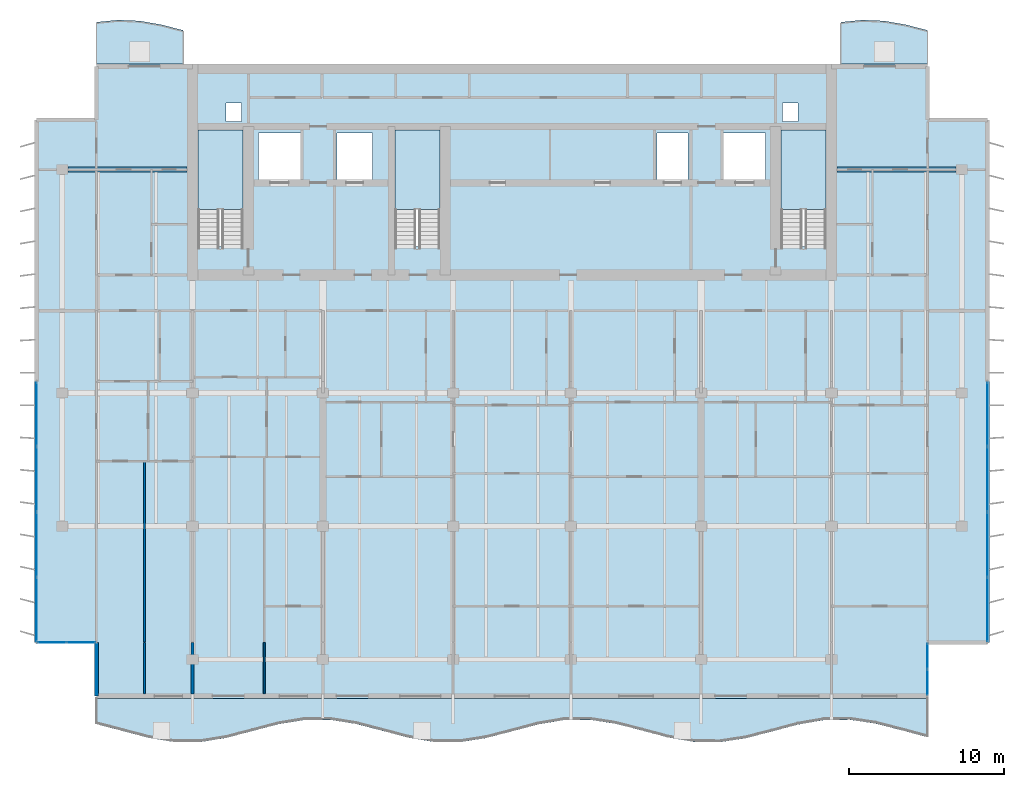
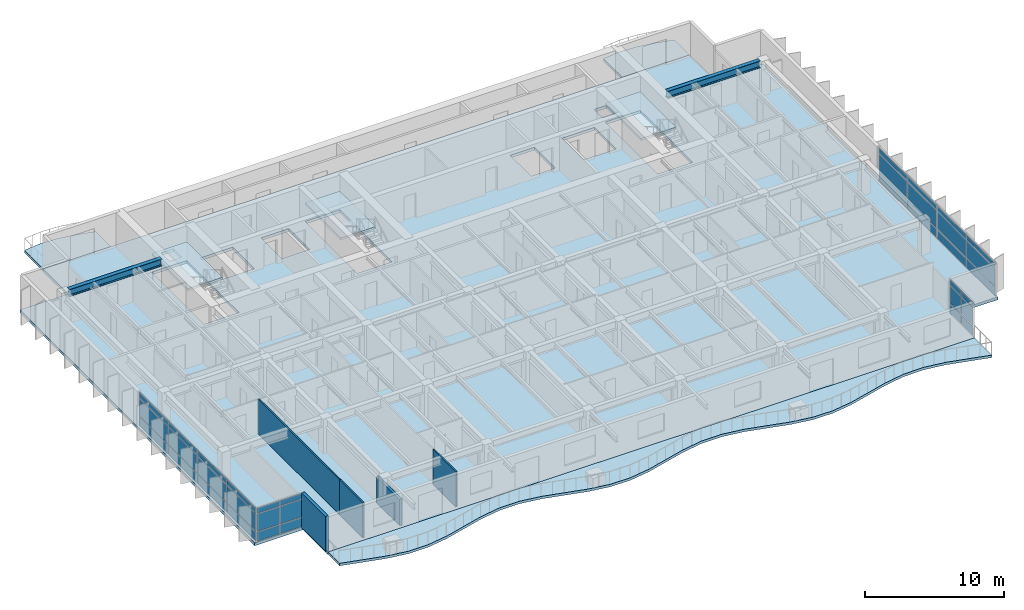
# One storey, part 5 of 16: 36 plates, 7 slabs, 5 walls, 2 beams, 7 elements without a shape of their own.
"""IFC4 building model written with IfcOpenShell, lengths in metres."""

from ifc_helpers import new_model, si_unit, direction, frame, frame_2d, origin, origin_2d, place, context, subcontext, project, spatial, polyline, rectangle, i_section, outline, extrude, material, layer, layer_set, material_profile, profile_set, type_object, element, aggregate, save


model = new_model("IFC4")

# Units and contexts
model_context = context("Model", 3, precision=1e-05, world=origin(), true_north=direction((0.0, 1.0)))
body_context = subcontext(model_context, "Body", "Model", "MODEL_VIEW")
ifc_project = project(units=[si_unit("LENGTHUNIT", "METRE"), si_unit("AREAUNIT", "SQUARE_METRE"), si_unit("VOLUMEUNIT", "CUBIC_METRE"), si_unit("PLANEANGLEUNIT", "RADIAN"), si_unit("MASSUNIT", "GRAM", prefix="KILO")], contexts=[model_context])

# Site, building, storey
site_placement = place(None, origin())
site = spatial("IfcSite", under=ifc_project, at=site_placement, CompositionType="ELEMENT")
building_placement = place(site_placement, origin())
building = spatial("IfcBuilding", under=site, at=building_placement, Name="Caelmar Bay Residences", CompositionType="ELEMENT")
storey_placement = place(building_placement, frame((0.0, 0.0, 249.60009765625)))
storey = spatial("IfcBuildingStorey", under=building, at=storey_placement, Name="L70", CompositionType="ELEMENT", Elevation=249.60009765625)

# Beams
ifc_material_1 = material(Name="Steel ASTM A992 Grade 50", Category="steel")
ifc_material_profile = material_profile(ifc_material_1, i_section(OverallWidth=0.324951171875, OverallDepth=0.616943359375, WebThickness=0.013916015625, FlangeThickness=0.021484375, FilletRadius=0.0126953125, at=origin_2d()), Name="W24X117")
ifc_profile_set = profile_set([ifc_material_profile], Name="Steel ASTM A992 Grade 50")
beam_type = type_object("IfcBeamType", Name="BM-SPN-W24X117", PredefinedType="SPANDREL", material=ifc_profile_set)
beam_1_placement = place(storey_placement, frame((10.264892578125, 43.800048828125, 2.741455078125), z_axis=(1.0, 0.0, 0.0), x_axis=(0.0, 1.0, 0.0)))
element("IfcBeam", 1, at=beam_1_placement, inside=storey, type_object=beam_type, Name="L70 North-West Wing Core Tie Girder", PredefinedType="SPANDREL", context=body_context, shape_type="SweptSolid", body=[
    extrude(i_section(OverallWidth=0.324951171875, OverallDepth=0.616943359375, WebThickness=0.013916015625, FlangeThickness=0.021484375, FilletRadius=0.0126953125, at=origin_2d()), origin(), (0.0, 0.0, 1.0), 7.68505859375),
])
beam_2_placement = place(storey_placement, frame((59.85009765625, 43.800048828125, 2.741455078125), z_axis=(1.0, 0.0, 0.0), x_axis=(0.0, 1.0, 0.0)))
element("IfcBeam", 2, at=beam_2_placement, inside=storey, type_object=beam_type, Name="L70 North-East Wing Core Tie Girder", PredefinedType="SPANDREL", context=body_context, shape_type="SweptSolid", body=[
    extrude(i_section(OverallWidth=0.324951171875, OverallDepth=0.616943359375, WebThickness=0.013916015625, FlangeThickness=0.021484375, FilletRadius=0.0126953125, at=origin_2d()), origin(), (0.0, 0.0, 1.0), 7.684814453125),
])

# Curtain wall, plates
ifc_material_2 = material(Name="Anodised bronze aluminium 6063-T6 and laminated glass", Category="aluminium")
ifc_layer_1 = layer(ifc_material_2, 0.179931640625)
ifc_layer_set_1 = layer_set([ifc_layer_1], Name="Anodised bronze aluminium 6063-T6 and laminated glass")
curtain_wall_type_1 = type_object("IfcCurtainWallType", Name="CW6-NTC", PredefinedType="NOTDEFINED", material=ifc_layer_set_1)
curtain_wall_1_placement = place(storey_placement, origin())
curtain_wall_1 = element("IfcCurtainWall", 3, at=curtain_wall_1_placement, inside=storey, type_object=curtain_wall_type_1, Name="CW6 curtain wall L70", PredefinedType="NOTDEFINED")
ifc_material_3 = material(Name="Bronze-tinted laminated low-E hurricane glass 28 mm", Category="glass")
ifc_layer_2 = layer(ifc_material_3, 0.028076171875)
ifc_layer_set_2 = layer_set([ifc_layer_2], Name="Bronze-tinted laminated low-E hurricane glass 28 mm")
plate_type_1 = type_object("IfcPlateType", Name="CWP-GLZ28", PredefinedType="CURTAIN_PANEL", material=ifc_layer_set_2)
plate_1_placement = place(storey_placement, frame((9.232421875, 13.300048828125, 0.080078125), z_axis=(0.0, 0.0, 1.0), x_axis=(1.0, 0.0, 0.0)))
plate_1 = element("IfcPlate", 4, at=plate_1_placement, type_object=plate_type_1, Name="CW6 panel 1.1", PredefinedType="CURTAIN_PANEL", context=body_context, shape_type="SweptSolid", body=[
    extrude(rectangle(XDim=1.804931640625, YDim=0.028076171875, at=origin_2d()), origin(), (0.0, 0.0, 1.0), 0.780029296875),
])
plate_2_placement = place(storey_placement, frame((9.232421875, 13.300048828125, 0.93994140625), z_axis=(0.0, 0.0, 1.0), x_axis=(1.0, 0.0, 0.0)))
plate_2 = element("IfcPlate", 5, at=plate_2_placement, type_object=plate_type_1, Name="CW6 panel 1.2", PredefinedType="CURTAIN_PANEL", context=body_context, shape_type="SweptSolid", body=[
    extrude(rectangle(XDim=1.804931640625, YDim=0.028076171875, at=origin_2d()), origin(), (0.0, 0.0, 1.0), 1.52001953125),
])
plate_3_placement = place(storey_placement, frame((9.232421875, 13.300048828125, 2.5400390625), z_axis=(0.0, 0.0, 1.0), x_axis=(1.0, 0.0, 0.0)))
plate_3 = element("IfcPlate", 6, at=plate_3_placement, type_object=plate_type_1, Name="CW6 panel 1.3", PredefinedType="CURTAIN_PANEL", context=body_context, shape_type="SweptSolid", body=[
    extrude(rectangle(XDim=1.804931640625, YDim=0.028076171875, at=origin_2d()), origin(), (0.0, 0.0, 1.0), 0.429931640625),
])
plate_4_placement = place(storey_placement, frame((11.117431640625, 13.300048828125, 0.080078125), z_axis=(0.0, 0.0, 1.0), x_axis=(1.0, 0.0, 0.0)))
plate_4 = element("IfcPlate", 7, at=plate_4_placement, type_object=plate_type_1, Name="CW6 panel 2.1", PredefinedType="CURTAIN_PANEL", context=body_context, shape_type="SweptSolid", body=[
    extrude(rectangle(XDim=1.804931640625, YDim=0.028076171875, at=origin_2d()), origin(), (0.0, 0.0, 1.0), 0.780029296875),
])
plate_5_placement = place(storey_placement, frame((11.117431640625, 13.300048828125, 0.93994140625), z_axis=(0.0, 0.0, 1.0), x_axis=(1.0, 0.0, 0.0)))
plate_5 = element("IfcPlate", 8, at=plate_5_placement, type_object=plate_type_1, Name="CW6 panel 2.2", PredefinedType="CURTAIN_PANEL", context=body_context, shape_type="SweptSolid", body=[
    extrude(rectangle(XDim=1.804931640625, YDim=0.028076171875, at=origin_2d()), origin(), (0.0, 0.0, 1.0), 1.52001953125),
])
plate_6_placement = place(storey_placement, frame((11.117431640625, 13.300048828125, 2.5400390625), z_axis=(0.0, 0.0, 1.0), x_axis=(1.0, 0.0, 0.0)))
plate_6 = element("IfcPlate", 9, at=plate_6_placement, type_object=plate_type_1, Name="CW6 panel 2.3", PredefinedType="CURTAIN_PANEL", context=body_context, shape_type="SweptSolid", body=[
    extrude(rectangle(XDim=1.804931640625, YDim=0.028076171875, at=origin_2d()), origin(), (0.0, 0.0, 1.0), 0.429931640625),
])
aggregate(curtain_wall_1, [plate_1, plate_2, plate_3, plate_4, plate_5, plate_6])

curtain_wall_2_placement = place(storey_placement, origin())
curtain_wall_2 = element("IfcCurtainWall", 10, at=curtain_wall_2_placement, inside=storey, type_object=curtain_wall_type_1, Name="CW6 curtain wall L70", PredefinedType="NOTDEFINED")
plate_7_placement = place(storey_placement, frame((65.699951171875, 10.732421875, 0.080078125), z_axis=(0.0, 0.0, 1.0), x_axis=(0.0, 1.0, 0.0)))
plate_7 = element("IfcPlate", 11, at=plate_7_placement, type_object=plate_type_1, Name="CW6 panel 1.1", PredefinedType="CURTAIN_PANEL", context=body_context, shape_type="SweptSolid", body=[
    extrude(rectangle(XDim=1.60498046875, YDim=0.028076171875, at=origin_2d()), origin(), (0.0, 0.0, 1.0), 0.780029296875),
])
plate_8_placement = place(storey_placement, frame((65.699951171875, 10.732421875, 0.93994140625), z_axis=(0.0, 0.0, 1.0), x_axis=(0.0, 1.0, 0.0)))
plate_8 = element("IfcPlate", 12, at=plate_8_placement, type_object=plate_type_1, Name="CW6 panel 1.2", PredefinedType="CURTAIN_PANEL", context=body_context, shape_type="SweptSolid", body=[
    extrude(rectangle(XDim=1.60498046875, YDim=0.028076171875, at=origin_2d()), origin(), (0.0, 0.0, 1.0), 1.52001953125),
])
plate_9_placement = place(storey_placement, frame((65.699951171875, 10.732421875, 2.5400390625), z_axis=(0.0, 0.0, 1.0), x_axis=(0.0, 1.0, 0.0)))
plate_9 = element("IfcPlate", 13, at=plate_9_placement, type_object=plate_type_1, Name="CW6 panel 1.3", PredefinedType="CURTAIN_PANEL", context=body_context, shape_type="SweptSolid", body=[
    extrude(rectangle(XDim=1.60498046875, YDim=0.028076171875, at=origin_2d()), origin(), (0.0, 0.0, 1.0), 0.429931640625),
])
plate_10_placement = place(storey_placement, frame((65.699951171875, 12.41748046875, 0.080078125), z_axis=(0.0, 0.0, 1.0), x_axis=(0.0, 1.0, 0.0)))
plate_10 = element("IfcPlate", 14, at=plate_10_placement, type_object=plate_type_1, Name="CW6 panel 2.1", PredefinedType="CURTAIN_PANEL", context=body_context, shape_type="SweptSolid", body=[
    extrude(rectangle(XDim=1.60498046875, YDim=0.028076171875, at=origin_2d()), origin(), (0.0, 0.0, 1.0), 0.780029296875),
])
plate_11_placement = place(storey_placement, frame((65.699951171875, 12.41748046875, 0.93994140625), z_axis=(0.0, 0.0, 1.0), x_axis=(0.0, 1.0, 0.0)))
plate_11 = element("IfcPlate", 15, at=plate_11_placement, type_object=plate_type_1, Name="CW6 panel 2.2", PredefinedType="CURTAIN_PANEL", context=body_context, shape_type="SweptSolid", body=[
    extrude(rectangle(XDim=1.60498046875, YDim=0.028076171875, at=origin_2d()), origin(), (0.0, 0.0, 1.0), 1.52001953125),
])
plate_12_placement = place(storey_placement, frame((65.699951171875, 12.41748046875, 2.5400390625), z_axis=(0.0, 0.0, 1.0), x_axis=(0.0, 1.0, 0.0)))
plate_12 = element("IfcPlate", 16, at=plate_12_placement, type_object=plate_type_1, Name="CW6 panel 2.3", PredefinedType="CURTAIN_PANEL", context=body_context, shape_type="SweptSolid", body=[
    extrude(rectangle(XDim=1.60498046875, YDim=0.028076171875, at=origin_2d()), origin(), (0.0, 0.0, 1.0), 0.429931640625),
])
aggregate(curtain_wall_2, [plate_7, plate_8, plate_9, plate_10, plate_11, plate_12])

ifc_layer_3 = layer(ifc_material_2, 0.179931640625)
ifc_layer_set_3 = layer_set([ifc_layer_3], Name="Anodised bronze aluminium 6063-T6 and laminated glass")
curtain_wall_type_2 = type_object("IfcCurtainWallType", Name="CW5-Z4", PredefinedType="NOTDEFINED", material=ifc_layer_set_3)
curtain_wall_3_placement = place(storey_placement, origin())
curtain_wall_3 = element("IfcCurtainWall", 17, at=curtain_wall_3_placement, inside=storey, type_object=curtain_wall_type_2, Name="CW5 curtain wall L70", PredefinedType="NOTDEFINED")
ifc_material_4 = material(Name="Bronze-tinted laminated low-E hurricane glass 32 mm", Category="glass")
ifc_layer_4 = layer(ifc_material_4, 0.031982421875)
ifc_layer_set_4 = layer_set([ifc_layer_4], Name="Bronze-tinted laminated low-E hurricane glass 32 mm")
plate_type_2 = type_object("IfcPlateType", Name="CWP-GLZ32", PredefinedType="CURTAIN_PANEL", material=ifc_layer_set_4)
plate_13_placement = place(storey_placement, frame((8.25, 15.42626953125, 0.080078125), z_axis=(0.0, 0.0, 1.0), x_axis=(0.0, 1.0, 0.0)))
plate_13 = element("IfcPlate", 18, at=plate_13_placement, type_object=plate_type_2, Name="CW5 panel 1.1", PredefinedType="CURTAIN_PANEL", context=body_context, shape_type="SweptSolid", body=[
    extrude(rectangle(XDim=4.092529296875, YDim=0.031982421875, at=origin_2d()), origin(), (0.0, 0.0, 1.0), 0.780029296875),
])
plate_14_placement = place(storey_placement, frame((8.25, 15.42626953125, 0.93994140625), z_axis=(0.0, 0.0, 1.0), x_axis=(0.0, 1.0, 0.0)))
plate_14 = element("IfcPlate", 19, at=plate_14_placement, type_object=plate_type_2, Name="CW5 panel 1.2", PredefinedType="CURTAIN_PANEL", context=body_context, shape_type="SweptSolid", body=[
    extrude(rectangle(XDim=4.092529296875, YDim=0.031982421875, at=origin_2d()), origin(), (0.0, 0.0, 1.0), 1.52001953125),
])
plate_15_placement = place(storey_placement, frame((8.25, 15.42626953125, 2.5400390625), z_axis=(0.0, 0.0, 1.0), x_axis=(0.0, 1.0, 0.0)))
plate_15 = element("IfcPlate", 20, at=plate_15_placement, type_object=plate_type_2, Name="CW5 panel 1.3", PredefinedType="CURTAIN_PANEL", context=body_context, shape_type="SweptSolid", body=[
    extrude(rectangle(XDim=4.092529296875, YDim=0.031982421875, at=origin_2d()), origin(), (0.0, 0.0, 1.0), 0.429931640625),
])
plate_16_placement = place(storey_placement, frame((8.25, 19.61865234375, 0.080078125), z_axis=(0.0, 0.0, 1.0), x_axis=(0.0, 1.0, 0.0)))
plate_16 = element("IfcPlate", 21, at=plate_16_placement, type_object=plate_type_2, Name="CW5 panel 2.1", PredefinedType="CURTAIN_PANEL", context=body_context, shape_type="SweptSolid", body=[
    extrude(rectangle(XDim=4.132568359375, YDim=0.031982421875, at=origin_2d()), origin(), (0.0, 0.0, 1.0), 0.780029296875),
])
plate_17_placement = place(storey_placement, frame((8.25, 19.61865234375, 0.93994140625), z_axis=(0.0, 0.0, 1.0), x_axis=(0.0, 1.0, 0.0)))
plate_17 = element("IfcPlate", 22, at=plate_17_placement, type_object=plate_type_2, Name="CW5 panel 2.2", PredefinedType="CURTAIN_PANEL", context=body_context, shape_type="SweptSolid", body=[
    extrude(rectangle(XDim=4.132568359375, YDim=0.031982421875, at=origin_2d()), origin(), (0.0, 0.0, 1.0), 1.52001953125),
])
plate_18_placement = place(storey_placement, frame((8.25, 19.61865234375, 2.5400390625), z_axis=(0.0, 0.0, 1.0), x_axis=(0.0, 1.0, 0.0)))
plate_18 = element("IfcPlate", 23, at=plate_18_placement, type_object=plate_type_2, Name="CW5 panel 2.3", PredefinedType="CURTAIN_PANEL", context=body_context, shape_type="SweptSolid", body=[
    extrude(rectangle(XDim=4.132568359375, YDim=0.031982421875, at=origin_2d()), origin(), (0.0, 0.0, 1.0), 0.429931640625),
])
plate_19_placement = place(storey_placement, frame((8.25, 23.831298828125, 0.080078125), z_axis=(0.0, 0.0, 1.0), x_axis=(0.0, 1.0, 0.0)))
plate_19 = element("IfcPlate", 24, at=plate_19_placement, type_object=plate_type_2, Name="CW5 panel 3.1", PredefinedType="CURTAIN_PANEL", context=body_context, shape_type="SweptSolid", body=[
    extrude(rectangle(XDim=4.132568359375, YDim=0.031982421875, at=origin_2d()), origin(), (0.0, 0.0, 1.0), 0.780029296875),
])
plate_20_placement = place(storey_placement, frame((8.25, 23.831298828125, 0.93994140625), z_axis=(0.0, 0.0, 1.0), x_axis=(0.0, 1.0, 0.0)))
plate_20 = element("IfcPlate", 25, at=plate_20_placement, type_object=plate_type_2, Name="CW5 panel 3.2", PredefinedType="CURTAIN_PANEL", context=body_context, shape_type="SweptSolid", body=[
    extrude(rectangle(XDim=4.132568359375, YDim=0.031982421875, at=origin_2d()), origin(), (0.0, 0.0, 1.0), 1.52001953125),
])
plate_21_placement = place(storey_placement, frame((8.25, 23.831298828125, 2.5400390625), z_axis=(0.0, 0.0, 1.0), x_axis=(0.0, 1.0, 0.0)))
plate_21 = element("IfcPlate", 26, at=plate_21_placement, type_object=plate_type_2, Name="CW5 panel 3.3", PredefinedType="CURTAIN_PANEL", context=body_context, shape_type="SweptSolid", body=[
    extrude(rectangle(XDim=4.132568359375, YDim=0.031982421875, at=origin_2d()), origin(), (0.0, 0.0, 1.0), 0.429931640625),
])
plate_22_placement = place(storey_placement, frame((8.25, 28.023681640625, 0.080078125), z_axis=(0.0, 0.0, 1.0), x_axis=(0.0, 1.0, 0.0)))
plate_22 = element("IfcPlate", 27, at=plate_22_placement, type_object=plate_type_2, Name="CW5 panel 4.1", PredefinedType="CURTAIN_PANEL", context=body_context, shape_type="SweptSolid", body=[
    extrude(rectangle(XDim=4.092529296875, YDim=0.031982421875, at=origin_2d()), origin(), (0.0, 0.0, 1.0), 0.780029296875),
])
plate_23_placement = place(storey_placement, frame((8.25, 28.023681640625, 0.93994140625), z_axis=(0.0, 0.0, 1.0), x_axis=(0.0, 1.0, 0.0)))
plate_23 = element("IfcPlate", 28, at=plate_23_placement, type_object=plate_type_2, Name="CW5 panel 4.2", PredefinedType="CURTAIN_PANEL", context=body_context, shape_type="SweptSolid", body=[
    extrude(rectangle(XDim=4.092529296875, YDim=0.031982421875, at=origin_2d()), origin(), (0.0, 0.0, 1.0), 1.52001953125),
])
plate_24_placement = place(storey_placement, frame((8.25, 28.023681640625, 2.5400390625), z_axis=(0.0, 0.0, 1.0), x_axis=(0.0, 1.0, 0.0)))
plate_24 = element("IfcPlate", 29, at=plate_24_placement, type_object=plate_type_2, Name="CW5 panel 4.3", PredefinedType="CURTAIN_PANEL", context=body_context, shape_type="SweptSolid", body=[
    extrude(rectangle(XDim=4.092529296875, YDim=0.031982421875, at=origin_2d()), origin(), (0.0, 0.0, 1.0), 0.429931640625),
])
aggregate(curtain_wall_3, [plate_13, plate_14, plate_15, plate_16, plate_17, plate_18, plate_19, plate_20, plate_21, plate_22, plate_23, plate_24])

curtain_wall_4_placement = place(storey_placement, origin())
curtain_wall_4 = element("IfcCurtainWall", 30, at=curtain_wall_4_placement, inside=storey, type_object=curtain_wall_type_2, Name="CW5 curtain wall L70", PredefinedType="NOTDEFINED")
plate_25_placement = place(storey_placement, frame((69.550048828125, 28.023681640625, 0.080078125), z_axis=(0.0, 0.0, 1.0), x_axis=(0.0, -1.0, 0.0)))
plate_25 = element("IfcPlate", 31, at=plate_25_placement, type_object=plate_type_2, Name="CW5 panel 1.1", PredefinedType="CURTAIN_PANEL", context=body_context, shape_type="SweptSolid", body=[
    extrude(rectangle(XDim=4.092529296875, YDim=0.031982421875, at=origin_2d()), origin(), (0.0, 0.0, 1.0), 0.780029296875),
])
plate_26_placement = place(storey_placement, frame((69.550048828125, 28.023681640625, 0.93994140625), z_axis=(0.0, 0.0, 1.0), x_axis=(0.0, -1.0, 0.0)))
plate_26 = element("IfcPlate", 32, at=plate_26_placement, type_object=plate_type_2, Name="CW5 panel 1.2", PredefinedType="CURTAIN_PANEL", context=body_context, shape_type="SweptSolid", body=[
    extrude(rectangle(XDim=4.092529296875, YDim=0.031982421875, at=origin_2d()), origin(), (0.0, 0.0, 1.0), 1.52001953125),
])
plate_27_placement = place(storey_placement, frame((69.550048828125, 28.023681640625, 2.5400390625), z_axis=(0.0, 0.0, 1.0), x_axis=(0.0, -1.0, 0.0)))
plate_27 = element("IfcPlate", 33, at=plate_27_placement, type_object=plate_type_2, Name="CW5 panel 1.3", PredefinedType="CURTAIN_PANEL", context=body_context, shape_type="SweptSolid", body=[
    extrude(rectangle(XDim=4.092529296875, YDim=0.031982421875, at=origin_2d()), origin(), (0.0, 0.0, 1.0), 0.429931640625),
])
plate_28_placement = place(storey_placement, frame((69.550048828125, 23.831298828125, 0.080078125), z_axis=(0.0, 0.0, 1.0), x_axis=(0.0, -1.0, 0.0)))
plate_28 = element("IfcPlate", 34, at=plate_28_placement, type_object=plate_type_2, Name="CW5 panel 2.1", PredefinedType="CURTAIN_PANEL", context=body_context, shape_type="SweptSolid", body=[
    extrude(rectangle(XDim=4.132568359375, YDim=0.031982421875, at=origin_2d()), origin(), (0.0, 0.0, 1.0), 0.780029296875),
])
plate_29_placement = place(storey_placement, frame((69.550048828125, 23.831298828125, 0.93994140625), z_axis=(0.0, 0.0, 1.0), x_axis=(0.0, -1.0, 0.0)))
plate_29 = element("IfcPlate", 35, at=plate_29_placement, type_object=plate_type_2, Name="CW5 panel 2.2", PredefinedType="CURTAIN_PANEL", context=body_context, shape_type="SweptSolid", body=[
    extrude(rectangle(XDim=4.132568359375, YDim=0.031982421875, at=origin_2d()), origin(), (0.0, 0.0, 1.0), 1.52001953125),
])
plate_30_placement = place(storey_placement, frame((69.550048828125, 23.831298828125, 2.5400390625), z_axis=(0.0, 0.0, 1.0), x_axis=(0.0, -1.0, 0.0)))
plate_30 = element("IfcPlate", 36, at=plate_30_placement, type_object=plate_type_2, Name="CW5 panel 2.3", PredefinedType="CURTAIN_PANEL", context=body_context, shape_type="SweptSolid", body=[
    extrude(rectangle(XDim=4.132568359375, YDim=0.031982421875, at=origin_2d()), origin(), (0.0, 0.0, 1.0), 0.429931640625),
])
plate_31_placement = place(storey_placement, frame((69.550048828125, 19.61865234375, 0.080078125), z_axis=(0.0, 0.0, 1.0), x_axis=(0.0, -1.0, 0.0)))
plate_31 = element("IfcPlate", 37, at=plate_31_placement, type_object=plate_type_2, Name="CW5 panel 3.1", PredefinedType="CURTAIN_PANEL", context=body_context, shape_type="SweptSolid", body=[
    extrude(rectangle(XDim=4.132568359375, YDim=0.031982421875, at=origin_2d()), origin(), (0.0, 0.0, 1.0), 0.780029296875),
])
plate_32_placement = place(storey_placement, frame((69.550048828125, 19.61865234375, 0.93994140625), z_axis=(0.0, 0.0, 1.0), x_axis=(0.0, -1.0, 0.0)))
plate_32 = element("IfcPlate", 38, at=plate_32_placement, type_object=plate_type_2, Name="CW5 panel 3.2", PredefinedType="CURTAIN_PANEL", context=body_context, shape_type="SweptSolid", body=[
    extrude(rectangle(XDim=4.132568359375, YDim=0.031982421875, at=origin_2d()), origin(), (0.0, 0.0, 1.0), 1.52001953125),
])
plate_33_placement = place(storey_placement, frame((69.550048828125, 19.61865234375, 2.5400390625), z_axis=(0.0, 0.0, 1.0), x_axis=(0.0, -1.0, 0.0)))
plate_33 = element("IfcPlate", 39, at=plate_33_placement, type_object=plate_type_2, Name="CW5 panel 3.3", PredefinedType="CURTAIN_PANEL", context=body_context, shape_type="SweptSolid", body=[
    extrude(rectangle(XDim=4.132568359375, YDim=0.031982421875, at=origin_2d()), origin(), (0.0, 0.0, 1.0), 0.429931640625),
])
plate_34_placement = place(storey_placement, frame((69.550048828125, 15.42626953125, 0.080078125), z_axis=(0.0, 0.0, 1.0), x_axis=(0.0, -1.0, 0.0)))
plate_34 = element("IfcPlate", 40, at=plate_34_placement, type_object=plate_type_2, Name="CW5 panel 4.1", PredefinedType="CURTAIN_PANEL", context=body_context, shape_type="SweptSolid", body=[
    extrude(rectangle(XDim=4.092529296875, YDim=0.031982421875, at=origin_2d()), origin(), (0.0, 0.0, 1.0), 0.780029296875),
])
plate_35_placement = place(storey_placement, frame((69.550048828125, 15.42626953125, 0.93994140625), z_axis=(0.0, 0.0, 1.0), x_axis=(0.0, -1.0, 0.0)))
plate_35 = element("IfcPlate", 41, at=plate_35_placement, type_object=plate_type_2, Name="CW5 panel 4.2", PredefinedType="CURTAIN_PANEL", context=body_context, shape_type="SweptSolid", body=[
    extrude(rectangle(XDim=4.092529296875, YDim=0.031982421875, at=origin_2d()), origin(), (0.0, 0.0, 1.0), 1.52001953125),
])
plate_36_placement = place(storey_placement, frame((69.550048828125, 15.42626953125, 2.5400390625), z_axis=(0.0, 0.0, 1.0), x_axis=(0.0, -1.0, 0.0)))
plate_36 = element("IfcPlate", 42, at=plate_36_placement, type_object=plate_type_2, Name="CW5 panel 4.3", PredefinedType="CURTAIN_PANEL", context=body_context, shape_type="SweptSolid", body=[
    extrude(rectangle(XDim=4.092529296875, YDim=0.031982421875, at=origin_2d()), origin(), (0.0, 0.0, 1.0), 0.429931640625),
])
aggregate(curtain_wall_4, [plate_25, plate_26, plate_27, plate_28, plate_29, plate_30, plate_31, plate_32, plate_33, plate_34, plate_35, plate_36])

# Slabs
ifc_material_5 = material(Name="Concrete f'c 40 MPa (6,000 psi)", Category="concrete")
ifc_layer_5 = layer(ifc_material_5, 0.219970703125)
ifc_layer_set_5 = layer_set([ifc_layer_5], Name="Concrete f'c 40 MPa (6,000 psi)")
slab_type_1 = type_object("IfcSlabType", Name="SLB-BAL-220", PredefinedType="FLOOR", material=ifc_layer_set_5)
slab_1_placement = place(storey_placement, frame((0.0, 0.0, -0.22021484375)))
element("IfcSlab", 43, at=slab_1_placement, inside=storey, type_object=slab_type_1, Name="L70 Sinusoidal Tree-Balcony Slab south", PredefinedType="FLOOR", context=body_context, shape_type="SweptSolid", body=[
    extrude(outline(polyline([(12.10009765625, 8.040771484375), (13.77490234375, 7.601318359375), (15.449951171875, 7.161376953125), (17.125, 6.887939453125), (18.800048828125, 6.885009765625), (20.47509765625, 7.153564453125), (22.14990234375, 7.591552734375), (23.824951171875, 8.032958984375), (25.5, 8.309814453125), (27.175048828125, 8.317138671875), (28.85009765625, 8.052001953125), (30.52490234375, 7.615478515625), (32.199951171875, 7.1728515625), (33.875, 6.892578125), (35.550048828125, 6.880859375), (37.22509765625, 7.142333984375), (38.89990234375, 7.57763671875), (40.574951171875, 8.021240234375), (42.25, 8.30517578125), (43.925048828125, 8.321044921875), (45.60009765625, 8.063232421875), (47.27490234375, 7.62939453125), (48.949951171875, 7.1845703125), (50.625, 6.897216796875), (52.300048828125, 6.876953125), (53.97509765625, 7.13134765625), (55.64990234375, 7.5634765625), (57.324951171875, 8.009765625), (59.0, 8.30029296875), (60.675048828125, 8.32470703125), (62.35009765625, 8.07421875), (64.02490234375, 7.6435546875), (65.699951171875, 7.1962890625), (65.699951171875, 9.699951171875), (12.10009765625, 9.699951171875), (12.10009765625, 8.040771484375)])), origin(), (0.0, 0.0, 1.0), 0.22021484375),
])
slab_2_placement = place(storey_placement, frame((0.0, 0.0, -0.22021484375)))
element("IfcSlab", 44, at=slab_2_placement, inside=storey, type_object=slab_type_1, Name="L70 Sinusoidal Tree-Balcony Slab north_west", PredefinedType="FLOOR", context=body_context, shape_type="SweptSolid", body=[
    extrude(outline(polyline([(12.10009765625, 50.60009765625), (17.699951171875, 50.60009765625), (17.699951171875, 52.7783203125), (16.300048828125, 53.140869140625), (14.89990234375, 53.38525390625), (13.5, 53.44580078125), (12.10009765625, 53.306884765625), (12.10009765625, 50.60009765625)])), origin(), (0.0, 0.0, 1.0), 0.22021484375),
])
slab_3_placement = place(storey_placement, frame((0.0, 0.0, -0.22021484375)))
element("IfcSlab", 45, at=slab_3_placement, inside=storey, type_object=slab_type_1, Name="L70 Sinusoidal Tree-Balcony Slab north_east", PredefinedType="FLOOR", context=body_context, shape_type="SweptSolid", body=[
    extrude(outline(polyline([(60.10009765625, 50.60009765625), (65.699951171875, 50.60009765625), (65.699951171875, 52.7783203125), (64.300048828125, 53.140869140625), (62.89990234375, 53.38525390625), (61.5, 53.44580078125), (60.10009765625, 53.306884765625), (60.10009765625, 50.60009765625)])), origin(), (0.0, 0.0, 1.0), 0.22021484375),
])

# Stair, slab
stair_type = type_object("IfcStairType", Name="ST-TYP-165", PredefinedType="HALF_TURN_STAIR", material=ifc_material_5)
stair_1_placement = place(storey_placement, origin())
stair_1 = element("IfcStair", 46, at=stair_1_placement, inside=storey, type_object=stair_type, Name="L70 West Smokeproof Exit Stair ST1", PredefinedType="HALF_TURN_STAIR")
ifc_layer_6 = layer(ifc_material_5, 0.199951171875)
ifc_layer_set_6 = layer_set([ifc_layer_6], Name="Concrete f'c 40 MPa (6,000 psi)")
slab_type_2 = type_object("IfcSlabType", Name="SLB-LND-200", PredefinedType="LANDING", material=ifc_layer_set_6)
slab_4_placement = place(storey_placement, frame((0.0, 0.0, 1.449951171875)))
slab_4 = element("IfcSlab", 47, at=slab_4_placement, type_object=slab_type_2, Name="ST1 landing 1", PredefinedType="LANDING", context=body_context, shape_type="SweptSolid", body=[
    extrude(outline(polyline([(21.550048828125, 41.219970703125), (21.550048828125, 46.35009765625), (18.64990234375, 46.35009765625), (18.64990234375, 41.219970703125), (21.550048828125, 41.219970703125)])), origin(), (0.0, 0.0, 1.0), 0.199951171875),
])
aggregate(stair_1, [slab_4])

stair_2_placement = place(storey_placement, origin())
stair_2 = element("IfcStair", 48, at=stair_2_placement, inside=storey, type_object=stair_type, Name="L70 East Smokeproof Exit Stair ST2", PredefinedType="HALF_TURN_STAIR")
slab_5_placement = place(storey_placement, frame((0.0, 0.0, 1.449951171875)))
slab_5 = element("IfcSlab", 49, at=slab_5_placement, type_object=slab_type_2, Name="ST2 landing 1", PredefinedType="LANDING", context=body_context, shape_type="SweptSolid", body=[
    extrude(outline(polyline([(59.14990234375, 41.219970703125), (59.14990234375, 46.35009765625), (56.25, 46.35009765625), (56.25, 41.219970703125), (59.14990234375, 41.219970703125)])), origin(), (0.0, 0.0, 1.0), 0.199951171875),
])
aggregate(stair_2, [slab_5])

stair_3_placement = place(storey_placement, origin())
stair_3 = element("IfcStair", 50, at=stair_3_placement, inside=storey, type_object=stair_type, Name="L70 Central Smokeproof Exit Stair ST3", PredefinedType="HALF_TURN_STAIR")
slab_6_placement = place(storey_placement, frame((0.0, 0.0, 1.449951171875)))
slab_6 = element("IfcSlab", 51, at=slab_6_placement, type_object=slab_type_2, Name="ST3 landing 1", PredefinedType="LANDING", context=body_context, shape_type="SweptSolid", body=[
    extrude(outline(polyline([(34.25, 41.219970703125), (34.25, 46.35009765625), (31.35009765625, 46.35009765625), (31.35009765625, 41.219970703125), (34.25, 41.219970703125)])), origin(), (0.0, 0.0, 1.0), 0.199951171875),
])
aggregate(stair_3, [slab_6])

# Slab
ifc_layer_7 = layer(ifc_material_5, 0.25)
ifc_layer_set_7 = layer_set([ifc_layer_7], Name="Concrete f'c 40 MPa (6,000 psi)")
slab_type_3 = type_object("IfcSlabType", Name="SLB-RES-250", PredefinedType="FLOOR", material=ifc_layer_set_7)
slab_7_placement = place(storey_placement, frame((0.0, 0.0, -0.25)))
element("IfcSlab", 52, at=slab_7_placement, inside=storey, type_object=slab_type_3, Name="L70 Structural Floor Slab", PredefinedType="FLOOR", context=body_context, shape_type="SweptSolid", body=[
    extrude(outline(polyline([(12.10009765625, 9.699951171875), (65.699951171875, 9.699951171875), (65.699951171875, 13.300048828125), (69.699951171875, 13.300048828125), (69.699951171875, 47.0), (65.699951171875, 47.0), (65.699951171875, 50.60009765625), (12.10009765625, 50.60009765625), (12.10009765625, 47.0), (8.10009765625, 47.0), (8.10009765625, 13.300048828125), (12.10009765625, 13.300048828125), (12.10009765625, 9.699951171875)]), holes=[polyline([(18.64990234375, 38.85009765625), (21.550048828125, 38.85009765625), (21.550048828125, 46.35009765625), (18.64990234375, 46.35009765625), (18.64990234375, 38.85009765625)]), polyline([(56.25, 38.85009765625), (59.14990234375, 38.85009765625), (59.14990234375, 46.35009765625), (56.25, 46.35009765625), (56.25, 38.85009765625)]), polyline([(31.35009765625, 38.85009765625), (34.25, 38.85009765625), (34.25, 46.35009765625), (31.35009765625, 46.35009765625), (31.35009765625, 38.85009765625)]), polyline([(22.550048828125, 43.050048828125), (25.25, 43.050048828125), (25.25, 46.14990234375), (22.550048828125, 46.14990234375), (22.550048828125, 43.050048828125)]), polyline([(52.550048828125, 43.050048828125), (55.25, 43.050048828125), (55.25, 46.14990234375), (52.550048828125, 46.14990234375), (52.550048828125, 43.050048828125)]), polyline([(48.25, 43.14990234375), (50.25, 43.14990234375), (50.25, 46.14990234375), (48.25, 46.14990234375), (48.25, 43.14990234375)]), polyline([(27.60009765625, 43.14990234375), (29.89990234375, 43.14990234375), (29.89990234375, 46.14990234375), (27.60009765625, 46.14990234375), (27.60009765625, 43.14990234375)]), polyline([(20.449951171875, 46.89990234375), (21.449951171875, 46.89990234375), (21.449951171875, 48.10009765625), (20.449951171875, 48.10009765625), (20.449951171875, 46.89990234375)]), polyline([(56.35009765625, 46.89990234375), (57.35009765625, 46.89990234375), (57.35009765625, 48.10009765625), (56.35009765625, 48.10009765625), (56.35009765625, 46.89990234375)])]), origin(), (0.0, 0.0, 1.0), 0.25),
])

# Walls
ifc_material_6 = material(Name="Precast concrete f'c 40 MPa (6,000 psi)", Category="concrete")
ifc_layer_8 = layer(ifc_material_6, 0.25)
ifc_layer_set_8 = layer_set([ifc_layer_8], Name="Precast concrete f'c 40 MPa (6,000 psi)")
wall_type_1 = type_object("IfcWallType", Name="W-EXT-250", PredefinedType="ELEMENTEDWALL", material=ifc_layer_set_8)
wall_1_placement = place(storey_placement, frame((12.10009765625, 13.300048828125, 0.0), z_axis=(0.0, 0.0, 1.0), x_axis=(0.0, -1.0, 0.0)))
element("IfcWall", 53, at=wall_1_placement, inside=storey, type_object=wall_type_1, Name="L70 SW Notch Return Wall", PredefinedType="ELEMENTEDWALL", context=body_context, shape_type="SweptSolid", body=[
    extrude(rectangle(XDim=3.449951171875, YDim=0.25, at=frame_2d((1.72509765625, 0.0))), origin(), (0.0, 0.0, 1.0), 3.0498046875),
])
ifc_material_7 = material(Name="Acoustic metal-stud gypsum partition 120 mm")
ifc_layer_9 = layer(ifc_material_7, 0.1201171875)
ifc_layer_set_9 = layer_set([ifc_layer_9], Name="Acoustic metal-stud gypsum partition 120 mm")
wall_type_2 = type_object("IfcWallType", Name="W-PRT-120", PredefinedType="PARTITIONING", material=ifc_layer_set_9)
wall_2_placement = place(storey_placement, frame((15.199951171875, 9.9951171875, 0.0), z_axis=(0.0, 0.0, 1.0), x_axis=(0.0, 1.0, 0.0)))
element("IfcWall", 54, at=wall_2_placement, inside=storey, type_object=wall_type_2, Name="L70 Partition Wall V005", PredefinedType="PARTITIONING", context=body_context, shape_type="SweptSolid", body=[
    extrude(rectangle(XDim=3.304931640625, YDim=0.1201171875, at=frame_2d((1.65234375, 0.0))), origin(), (0.0, 0.0, 1.0), 3.0498046875),
])
wall_3_placement = place(storey_placement, frame((15.199951171875, 13.340087890625, 0.0), z_axis=(0.0, 0.0, 1.0), x_axis=(0.0, 1.0, 0.0)))
element("IfcWall", 55, at=wall_3_placement, inside=storey, type_object=wall_type_2, Name="L70 Partition Wall V006", PredefinedType="PARTITIONING", context=body_context, shape_type="SweptSolid", body=[
    extrude(rectangle(XDim=11.64990234375, YDim=0.1201171875, at=frame_2d((5.824951171875, 0.0))), origin(), (0.0, 0.0, 1.0), 3.0498046875),
])
wall_4_placement = place(storey_placement, frame((22.919921875, 9.9951171875, 0.0), z_axis=(0.0, 0.0, 1.0), x_axis=(0.0, 1.0, 0.0)))
element("IfcWall", 56, at=wall_4_placement, inside=storey, type_object=wall_type_2, Name="L70 Partition Wall V014", PredefinedType="PARTITIONING", context=body_context, shape_type="SweptSolid", body=[
    extrude(rectangle(XDim=3.304931640625, YDim=0.1201171875, at=frame_2d((1.65234375, 0.0))), origin(), (0.0, 0.0, 1.0), 3.0498046875),
])
ifc_material_8 = material(Name="Acoustic twin-stud fire-rated inter-tenancy partition 200 mm")
ifc_layer_10 = layer(ifc_material_8, 0.199951171875)
ifc_layer_set_10 = layer_set([ifc_layer_10], Name="Acoustic twin-stud fire-rated inter-tenancy partition 200 mm")
wall_type_3 = type_object("IfcWallType", Name="W-PTY-200", PredefinedType="PARTITIONING", material=ifc_layer_set_10)
wall_5_placement = place(storey_placement, frame((18.300048828125, 9.9951171875, 0.0), z_axis=(0.0, 0.0, 1.0), x_axis=(0.0, 1.0, 0.0)))
element("IfcWall", 57, at=wall_5_placement, inside=storey, type_object=wall_type_3, Name="L70 Partition Wall V010", PredefinedType="PARTITIONING", context=body_context, shape_type="SweptSolid", body=[
    extrude(rectangle(XDim=3.304931640625, YDim=0.199951171875, at=frame_2d((1.65234375, 0.0))), origin(), (0.0, 0.0, 1.0), 2.262939453125),
])

save(model, "model.ifc")
